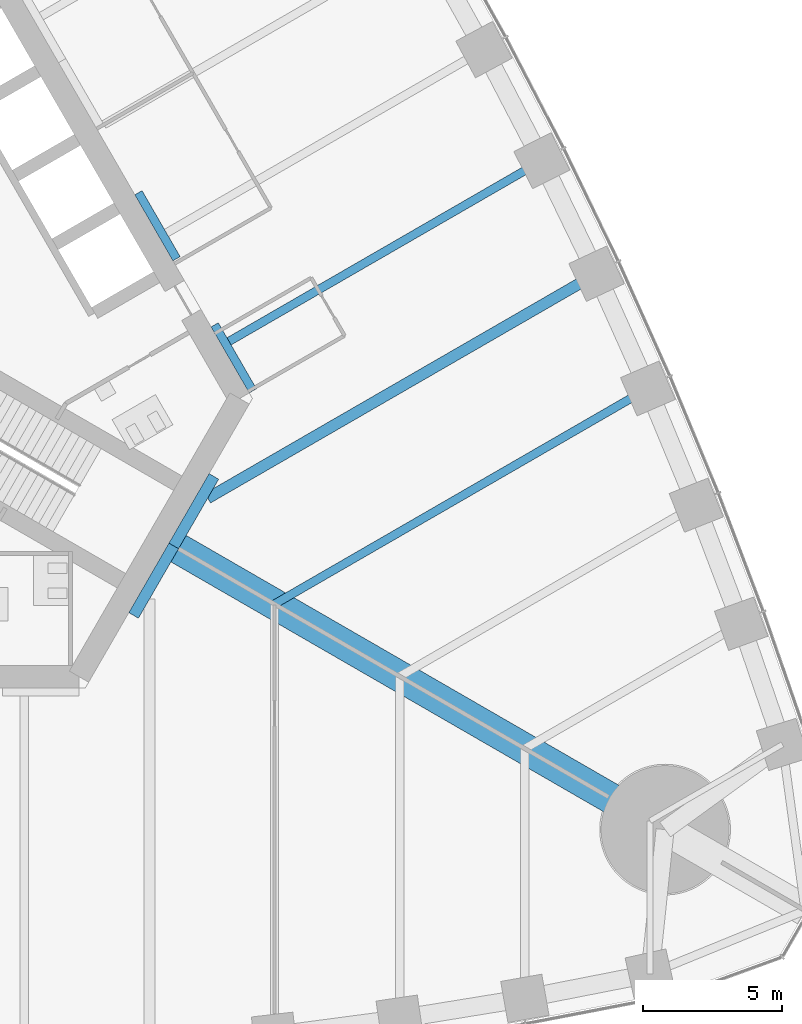
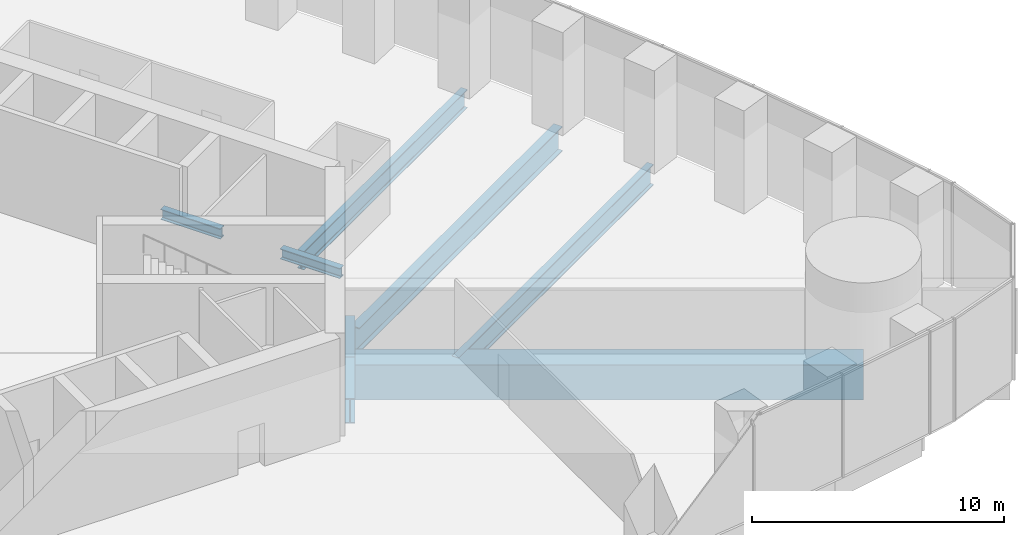
# One storey, part 6 of 21: 8 beams.
"""IFC4 building model written with IfcOpenShell, lengths in metres."""

from ifc_helpers import new_model, si_unit, direction, frame, origin, origin_2d, place, context, subcontext, project, spatial, rectangle, i_section, extrude, material, material_profile, profile_set, type_object, element, save


model = new_model("IFC4")

# Units and contexts
model_context = context("Model", 3, precision=1e-05, world=origin(), true_north=direction((0.0, 1.0)))
body_context = subcontext(model_context, "Body", "Model", "MODEL_VIEW")
ifc_project = project(units=[si_unit("LENGTHUNIT", "METRE"), si_unit("AREAUNIT", "SQUARE_METRE"), si_unit("VOLUMEUNIT", "CUBIC_METRE"), si_unit("PLANEANGLEUNIT", "RADIAN"), si_unit("MASSUNIT", "GRAM", prefix="KILO")], contexts=[model_context])

# Site, building, storey
site_placement = place(None, origin())
site = spatial("IfcSite", under=ifc_project, at=site_placement, CompositionType="ELEMENT")
building_placement = place(site_placement, origin())
building = spatial("IfcBuilding", under=site, at=building_placement, Name="Trefoil Bronze Tower", CompositionType="ELEMENT")
storey_placement = place(building_placement, frame((0.0, 0.0, 11.5)))
storey = spatial("IfcBuildingStorey", under=building, at=storey_placement, Name="L02", CompositionType="ELEMENT", Elevation=11.5)

# Beams
ifc_material_1 = material(Name="Steel C355", Category="steel")
ifc_material_profile_1 = material_profile(ifc_material_1, i_section(OverallWidth=0.300048828125, OverallDepth=0.5, WebThickness=0.014404296875, FlangeThickness=0.028076171875, FilletRadius=0.027099609375, at=origin_2d()), Name="HEB 500")
ifc_profile_set_1 = profile_set([ifc_material_profile_1], Name="Steel C355")
beam_type_1 = type_object("IfcBeamType", Name="Core seat beam HEB 500", PredefinedType="BEAM", material=ifc_profile_set_1)
for number, where, z_axis, x_axis, name in (
    (1, (17.219482421875, -2.72509765625, -0.449951171875), (-0.500035825175, 0.866004719122, 0.0), (-0.866004719122, -0.500035825175, 0.0), "Core seat beam F2/-2 L02"),
    (2, (14.47705078125, 2.02490234375, -0.449951171875), (-0.499969057507, 0.866043267704, 0.0), (-0.866043267704, -0.499969057507, 0.0), "Core seat beam F2/-1 L02"),
):
    element("IfcBeam", number, at=place(storey_placement, frame(where, z_axis=z_axis, x_axis=x_axis)), inside=storey, type_object=beam_type_1, Name=name, PredefinedType="BEAM", context=body_context, shape_type="SweptSolid", body=[
        extrude(i_section(OverallWidth=0.300048828125, OverallDepth=0.5, WebThickness=0.014404296875, FlangeThickness=0.028076171875, FilletRadius=0.027099609375, at=origin_2d()), origin(), (0.0, 0.0, 1.0), 2.742431640625),
    ])
ifc_material_2 = material(Name="Steel C355", Category="steel")
ifc_material_profile_2 = material_profile(ifc_material_2, i_section(OverallWidth=0.39990234375, OverallDepth=1.199951171875, WebThickness=0.02001953125, FlangeThickness=0.0400390625, FilletRadius=0.010009765625, at=origin_2d()), Name="WPG 1200")
ifc_profile_set_2 = profile_set([ifc_material_profile_2], Name="Steel C355")
beam_type_2 = type_object("IfcBeamType", Name="Core seat beam WPG 1200", PredefinedType="BEAM", material=ifc_profile_set_2)
for number, where, z_axis, x_axis, name in (
    (3, (12.9326171875, -10.800048828125, -0.800048828125), (0.499995765644, 0.866027848477, 0.0), (-0.866027848477, 0.499995765644, 0.0), "Core seat beam F1/+3 L02"),
    (4, (14.3759765625, -8.300048828125, -0.800048828125), (0.499995765644, 0.866027848477, 0.0), (-0.866027848477, 0.499995765644, 0.0), "Core seat beam F2/-3 L02"),
):
    element("IfcBeam", number, at=place(storey_placement, frame(where, z_axis=z_axis, x_axis=x_axis)), inside=storey, type_object=beam_type_2, Name=name, PredefinedType="BEAM", context=body_context, shape_type="SweptSolid", body=[
        extrude(i_section(OverallWidth=0.39990234375, OverallDepth=1.199951171875, WebThickness=0.02001953125, FlangeThickness=0.0400390625, FilletRadius=0.010009765625, at=origin_2d()), origin(), (0.0, 0.0, 1.0), 2.88671875),
    ])
ifc_material_3 = material(Name="Concrete B80", Category="concrete")
ifc_material_profile_3 = material_profile(ifc_material_3, rectangle(XDim=1.10009765625, YDim=1.699951171875, at=origin_2d()), Name="RC 1100x1700")
ifc_profile_set_3 = profile_set([ifc_material_profile_3], Name="Concrete B80")
beam_type_3 = type_object("IfcBeamType", Name="Corner girder RC 1100x1700", PredefinedType="BEAM", material=ifc_profile_set_3)
beam_1_placement = place(storey_placement, frame((14.202880859375, -8.199951171875, -1.050048828125), z_axis=(0.866023947468, -0.500002522405, 0.0), x_axis=(0.500002522405, 0.866023947468, 0.0)))
element("IfcBeam", 5, at=beam_1_placement, inside=storey, type_object=beam_type_3, Name="Corner girder K1 L02", PredefinedType="BEAM", context=body_context, shape_type="SweptSolid", body=[
    extrude(rectangle(XDim=1.10009765625, YDim=1.699951171875, at=origin_2d()), origin(), (0.0, 0.0, 1.0), 20.60009765625),
])
ifc_material_4 = material(Name="Steel C355", Category="steel")
ifc_material_profile_4 = material_profile(ifc_material_4, i_section(OverallWidth=0.300048828125, OverallDepth=0.89990234375, WebThickness=0.0185546875, FlangeThickness=0.034912109375, FilletRadius=0.030029296875, at=origin_2d()), Name="HEB 900")
ifc_profile_set_4 = profile_set([ifc_material_profile_4], Name="Steel C355")
beam_type_4 = type_object("IfcBeamType", Name="Floor beam HEB 900", PredefinedType="BEAM", material=ifc_profile_set_4)
beam_2_placement = place(storey_placement, frame((27.61083984375, 5.548828125, -0.64990234375), z_axis=(-0.866022474361, -0.500005073876, 0.0), x_axis=(0.500005073876, -0.866022474361, 0.0)))
element("IfcBeam", 6, at=beam_2_placement, inside=storey, type_object=beam_type_4, Name="Floor beam F2/-2 L02", PredefinedType="BEAM", context=body_context, shape_type="SweptSolid", body=[
    extrude(i_section(OverallWidth=0.300048828125, OverallDepth=0.89990234375, WebThickness=0.0185546875, FlangeThickness=0.034912109375, FilletRadius=0.030029296875, at=origin_2d()), origin(), (0.0, 0.0, 1.0), 12.986083984375),
])
ifc_material_5 = material(Name="Steel C355", Category="steel")
ifc_material_profile_5 = material_profile(ifc_material_5, i_section(OverallWidth=0.302001953125, OverallDepth=1.008056640625, WebThickness=0.02099609375, FlangeThickness=0.0400390625, FilletRadius=0.030029296875, at=origin_2d()), Name="HEM 1000")
ifc_profile_set_5 = profile_set([ifc_material_profile_5], Name="Steel C355")
beam_type_5 = type_object("IfcBeamType", Name="Floor beam HEM 1000", PredefinedType="BEAM", material=ifc_profile_set_5)
beam_3_placement = place(storey_placement, frame((31.42578125, -2.640869140625, -0.7041015625), z_axis=(-0.866022989816, -0.500004181093, 0.0), x_axis=(0.500004181093, -0.866022989816, 0.0)))
element("IfcBeam", 7, at=beam_3_placement, inside=storey, type_object=beam_type_5, Name="Floor beam F2/-4 L02", PredefinedType="BEAM", context=body_context, shape_type="SweptSolid", body=[
    extrude(i_section(OverallWidth=0.302001953125, OverallDepth=1.008056640625, WebThickness=0.02099609375, FlangeThickness=0.0400390625, FilletRadius=0.030029296875, at=origin_2d()), origin(), (0.0, 0.0, 1.0), 15.502685546875),
])
ifc_material_6 = material(Name="Steel C355", Category="steel")
ifc_material_profile_6 = material_profile(ifc_material_6, i_section(OverallWidth=0.39990234375, OverallDepth=1.199951171875, WebThickness=0.02001953125, FlangeThickness=0.0400390625, FilletRadius=0.010009765625, at=origin_2d()), Name="WPG 1200")
ifc_profile_set_6 = profile_set([ifc_material_profile_6], Name="Steel C355")
beam_type_6 = type_object("IfcBeamType", Name="Floor beam WPG 1200", PredefinedType="BEAM", material=ifc_profile_set_6)
beam_4_placement = place(storey_placement, frame((29.575927734375, 1.487060546875, -0.800048828125), z_axis=(-0.866028401131, -0.499994808408, 0.0), x_axis=(0.499994808408, -0.866028401131, 0.0)))
element("IfcBeam", 8, at=beam_4_placement, inside=storey, type_object=beam_type_6, Name="Floor beam F2/-3 L02", PredefinedType="BEAM", context=body_context, shape_type="SweptSolid", body=[
    extrude(i_section(OverallWidth=0.39990234375, OverallDepth=1.199951171875, WebThickness=0.02001953125, FlangeThickness=0.0400390625, FilletRadius=0.010009765625, at=origin_2d()), origin(), (0.0, 0.0, 1.0), 16.139892578125),
])

save(model, "model.ifc")
